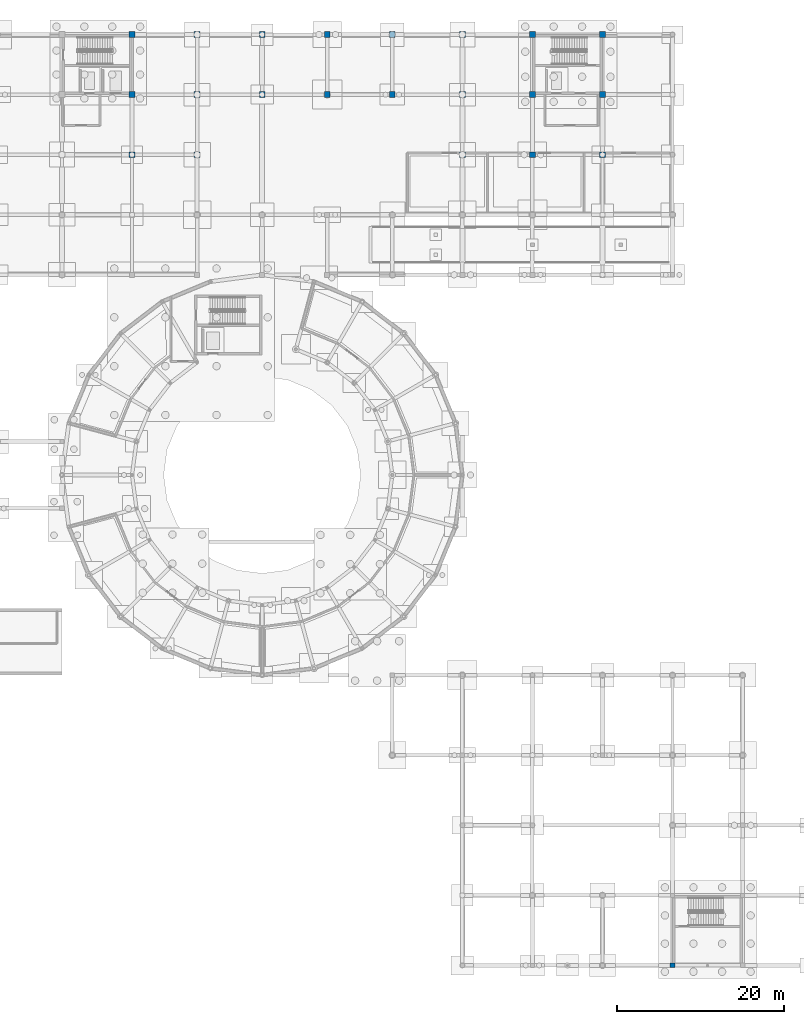
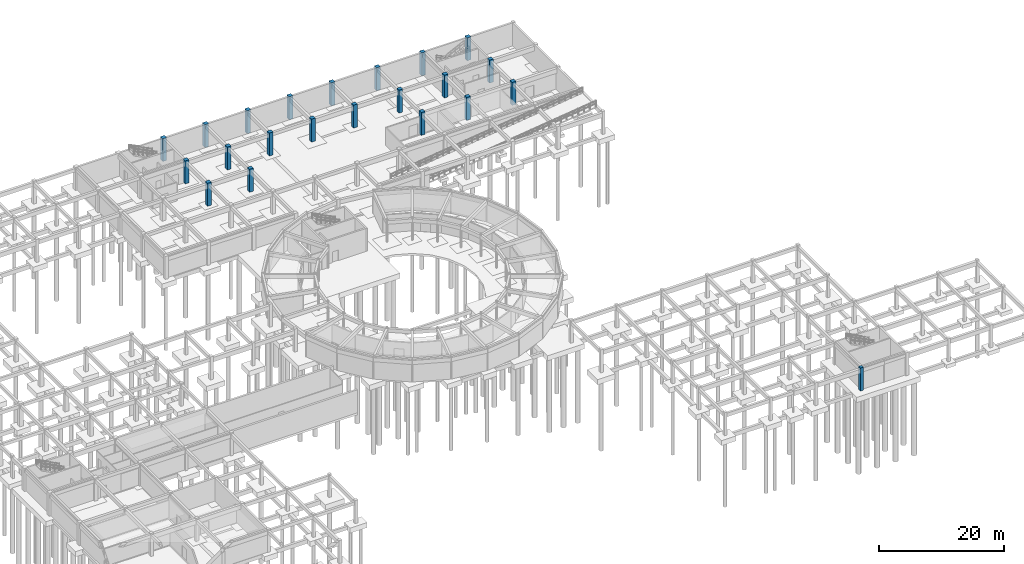
# One storey, part 21 of 43: 22 columns.
"""IFC4 building model written with IfcOpenShell, lengths in metres."""

from ifc_helpers import new_model, si_unit, derived_unit, direction, frame, origin, origin_2d, place, context, subcontext, project, spatial, rectangle, extrude, material, material_profile, profile_set, type_object, element, save


model = new_model("IFC4")

# Units and contexts
model_context = context("Model", 3, precision=1e-05, world=origin(), true_north=direction((0.0, 1.0)))
body_context = subcontext(model_context, "Body", "Model", "MODEL_VIEW")
ifc_project = project(units=[si_unit("LENGTHUNIT", "METRE"), si_unit("AREAUNIT", "SQUARE_METRE"), si_unit("VOLUMEUNIT", "CUBIC_METRE"), si_unit("PLANEANGLEUNIT", "RADIAN"), si_unit("MASSUNIT", "GRAM", prefix="KILO"), derived_unit("THERMALTRANSMITTANCEUNIT", [(si_unit("POWERUNIT", "WATT"), 1), (si_unit("AREAUNIT", "SQUARE_METRE"), -1), (si_unit("THERMODYNAMICTEMPERATUREUNIT", "KELVIN"), -1)])], contexts=[model_context])

# Site, building, storey
site_placement = place(None, origin())
site = spatial("IfcSite", under=ifc_project, at=site_placement, CompositionType="ELEMENT")
building_placement = place(site_placement, origin())
building = spatial("IfcBuilding", under=site, at=building_placement, Name="Yasenodar Specialist Clinic", CompositionType="ELEMENT")
storey_placement = place(building_placement, frame((0.0, 0.0, -4.5)))
storey = spatial("IfcBuildingStorey", under=building, at=storey_placement, Name="B1", CompositionType="ELEMENT", Elevation=-4.5)

# Columns
ifc_material = material(Name="Concrete C35/45", Category="concrete")
ifc_material_profile_1 = material_profile(ifc_material, rectangle(XDim=0.550048828125, YDim=0.550048828125, at=origin_2d()), Name="RC 550x550")
ifc_profile_set_1 = profile_set([ifc_material_profile_1], Name="Concrete C35/45")
column_type_1 = type_object("IfcColumnType", Name="COL-RC-550", PredefinedType="COLUMN", material=ifc_profile_set_1)
column_placement = place(storey_placement, frame((130.199951171875, 0.0, 0.0), z_axis=(0.0, 0.0, 1.0), x_axis=(1.0, 0.0, 0.0)))
element("IfcColumn", 1, at=column_placement, inside=storey, type_object=column_type_1, Name="B1 Column V3-146", PredefinedType="COLUMN", context=body_context, shape_type="SweptSolid", body=[
    extrude(rectangle(XDim=0.550048828125, YDim=0.550048828125, at=origin_2d()), origin(), (0.0, 0.0, 1.0), 4.5),
])
ifc_material_profile_2 = material_profile(ifc_material, rectangle(XDim=0.699951171875, YDim=0.699951171875, at=origin_2d()), Name="RC 700x700")
ifc_profile_set_2 = profile_set([ifc_material_profile_2], Name="Concrete C35/45")
column_type_2 = type_object("IfcColumnType", Name="COL-RC-700", PredefinedType="COLUMN", material=ifc_profile_set_2)
for number, where, z_axis, x_axis, name in (
    (2, (65.39990234375, 97.199951171875, 0.0), (0.0, 0.0, 1.0), (1.0, 0.0, 0.0), "B1 Column V5-095"),
    (3, (65.39990234375, 104.39990234375, 0.0), (0.0, 0.0, 1.0), (1.0, 0.0, 0.0), "B1 Column V5-096"),
    (4, (65.39990234375, 111.60009765625, 0.0), (0.0, 0.0, 1.0), (1.0, 0.0, 0.0), "B1 Column V5-097"),
    (5, (73.199951171875, 97.199951171875, 0.0), (0.0, 0.0, 1.0), (1.0, 0.0, 0.0), "B1 Column V5-100"),
    (6, (73.199951171875, 104.39990234375, 0.0), (0.0, 0.0, 1.0), (1.0, 0.0, 0.0), "B1 Column V5-101"),
    (7, (73.199951171875, 111.60009765625, 0.0), (0.0, 0.0, 1.0), (1.0, 0.0, 0.0), "B1 Column V5-102"),
    (8, (81.0, 104.39990234375, 0.0), (0.0, 0.0, 1.0), (1.0, 0.0, 0.0), "B1 Column V5-105"),
    (9, (81.0, 111.60009765625, 0.0), (0.0, 0.0, 1.0), (1.0, 0.0, 0.0), "B1 Column V5-106"),
    (10, (88.800048828125, 104.39990234375, 0.0), (0.0, 0.0, 1.0), (1.0, 0.0, 0.0), "B1 Column V5-109"),
    (11, (88.800048828125, 111.60009765625, 0.0), (0.0, 0.0, 1.0), (1.0, 0.0, 0.0), "B1 Column V5-110"),
    (12, (96.60009765625, 104.39990234375, 0.0), (0.0, 0.0, 1.0), (1.0, 0.0, 0.0), "B1 Column V5-115"),
    (13, (96.60009765625, 111.60009765625, 0.0), (0.0, 0.0, 1.0), (1.0, 0.0, 0.0), "B1 Column V5-116"),
    (14, (105.0, 97.199951171875, 0.0), (0.0, 0.0, 1.0), (1.0, 0.0, 0.0), "B1 Column V5-124"),
    (15, (105.0, 104.39990234375, 0.0), (0.0, 0.0, 1.0), (1.0, 0.0, 0.0), "B1 Column V5-125"),
    (16, (105.0, 111.60009765625, 0.0), (0.0, 0.0, 1.0), (1.0, 0.0, 0.0), "B1 Column V5-126"),
    (17, (113.39990234375, 97.199951171875, 0.0), (0.0, 0.0, 1.0), (1.0, 0.0, 0.0), "B1 Column V5-134"),
    (18, (113.39990234375, 104.39990234375, 0.0), (0.0, 0.0, 1.0), (1.0, 0.0, 0.0), "B1 Column V5-135"),
    (19, (113.39990234375, 111.60009765625, 0.0), (0.0, 0.0, 1.0), (1.0, 0.0, 0.0), "B1 Column V5-136"),
    (20, (121.800048828125, 97.199951171875, 0.0), (0.0, 0.0, 1.0), (1.0, 0.0, 0.0), "B1 Column V5-143"),
    (21, (121.800048828125, 104.39990234375, 0.0), (0.0, 0.0, 1.0), (1.0, 0.0, 0.0), "B1 Column V5-144"),
    (22, (121.800048828125, 111.60009765625, 0.0), (0.0, 0.0, 1.0), (1.0, 0.0, 0.0), "B1 Column V5-145"),
):
    element("IfcColumn", number, at=place(storey_placement, frame(where, z_axis=z_axis, x_axis=x_axis)), inside=storey, type_object=column_type_2, Name=name, PredefinedType="COLUMN", context=body_context, shape_type="SweptSolid", body=[
        extrude(rectangle(XDim=0.699951171875, YDim=0.699951171875, at=origin_2d()), origin(), (0.0, 0.0, 1.0), 4.5),
    ])

save(model, "model.ifc")
